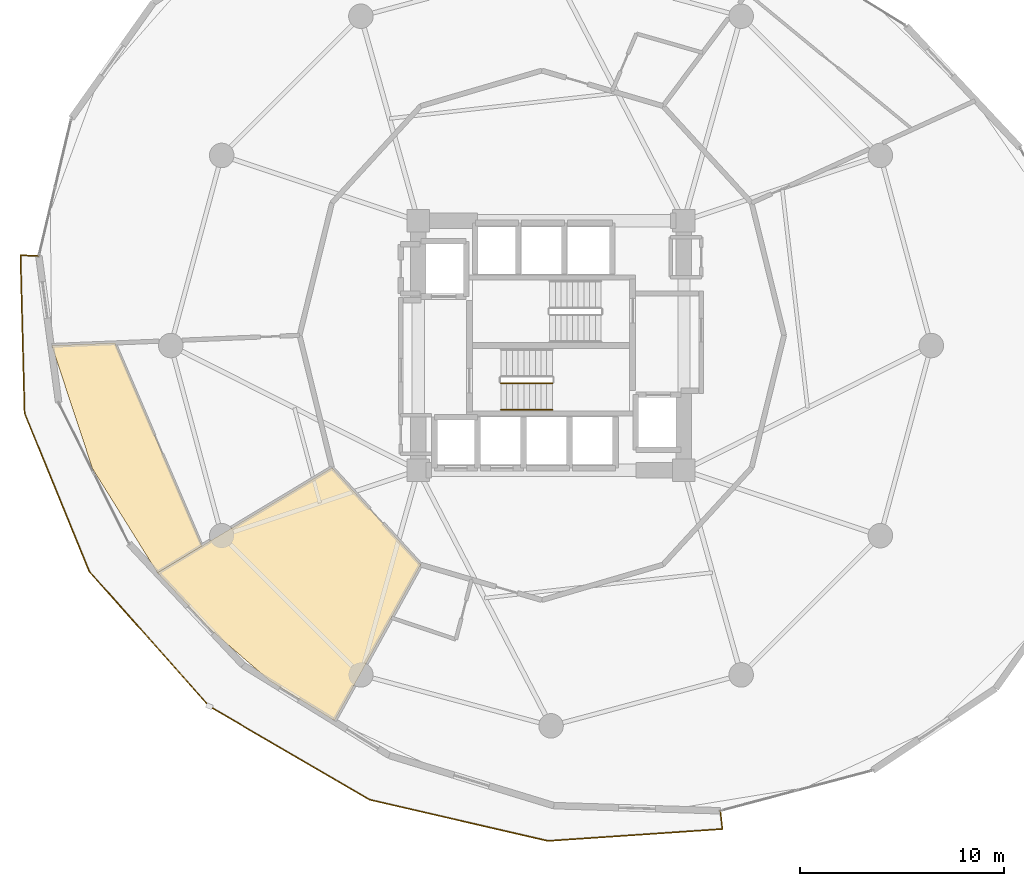
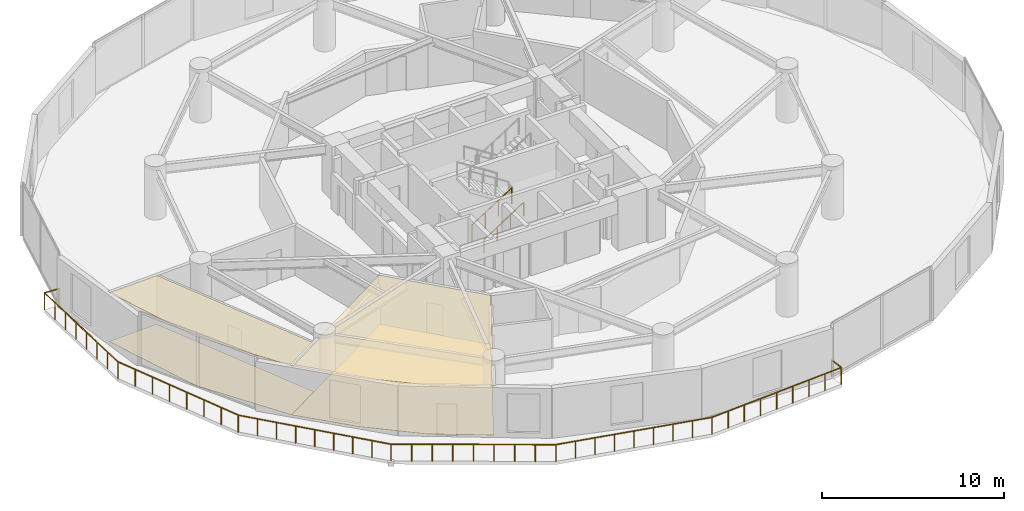
# One storey, part 22 of 24: 4 coverings, 3 railings.
"""IFC4 building model written with IfcOpenShell, lengths in metres."""

import ifcopenshell
import ifcopenshell.guid

model = None  # the IFC model being written
_history = None  # IfcOwnerHistory: only IFC2X3 demands one
_inside = {}  # id of a spatial element -> (the spatial element, [elements in it])
_under = {}  # id of a project, library or spatial element -> (it, [spatial elements below it])
_declared = {}  # id of a project -> (the project, [libraries it declares])
_typed = {}  # id of a type object -> (the type object, [elements of that type])
_made_of = {}  # id of a material, layer set ... -> (it, [elements and type objects made of it])


def new_model(schema):
    """Start an empty IFC model of exactly this schema.

    Asked for "IFC4X3", IfcOpenShell would pick the latest addendum, in which some entities
    have other attributes; the version numbers below select the first issue.
    IFC2X3 requires an IfcOwnerHistory on every rooted entity: one is made here for all.
    """
    global model, _history
    if schema == "IFC4X3":
        model = ifcopenshell.file(schema_version=(4, 3, 0, 0))
    else:
        model = ifcopenshell.file(schema=schema)
    _inside.clear()
    _under.clear()
    _declared.clear()
    _typed.clear()
    _made_of.clear()
    _history = None
    if model.schema == "IFC2X3":
        org = make("IfcOrganization", Name="unknown")
        user = make(
            "IfcPersonAndOrganization",
            ThePerson=make("IfcPerson", FamilyName="unknown"),
            TheOrganization=org,
        )
        app = make(
            "IfcApplication",
            ApplicationDeveloper=org,
            Version="unknown",
            ApplicationFullName="unknown",
            ApplicationIdentifier="unknown",
        )
        _history = make(
            "IfcOwnerHistory",
            OwningUser=user,
            OwningApplication=app,
            ChangeAction="ADDED",
            CreationDate=0,
        )
    return model


def make(cls, **values):
    """One entity of the class cls with the attributes given. An attribute that is None is left unset."""
    return model.create_entity(
        cls, **{name: value for name, value in values.items() if value is not None}
    )


def rooted(cls, **values):
    """An entity with a GlobalId (a new one), such as an element, a storey or a relation."""
    return make(cls, GlobalId=ifcopenshell.guid.new(), OwnerHistory=_history, **values)


def si_unit(unit_type, name, prefix=None):
    """IfcSIUnit, for example si_unit("LENGTHUNIT", "METRE", prefix="MILLI")."""
    return make("IfcSIUnit", UnitType=unit_type, Prefix=prefix, Name=name)


def assignment(units):
    """IfcUnitAssignment: the units of a project."""
    return None if units is None else make("IfcUnitAssignment", Units=units)


def point(xyz):
    """IfcCartesianPoint."""
    return None if xyz is None else make("IfcCartesianPoint", Coordinates=xyz)


def direction(xyz):
    """IfcDirection."""
    return None if xyz is None else make("IfcDirection", DirectionRatios=xyz)


def frame(location, z_axis=None, x_axis=None):
    """IfcAxis2Placement3D, a coordinate frame: its origin and axes. An axis left out is left unset."""
    return make(
        "IfcAxis2Placement3D",
        Location=point(location),
        Axis=direction(z_axis),
        RefDirection=direction(x_axis),
    )


def frame_2d(location, x_axis=None):
    """IfcAxis2Placement2D, a coordinate frame in the plane: its origin and x axis."""
    return make(
        "IfcAxis2Placement2D", Location=point(location), RefDirection=direction(x_axis)
    )


def origin():
    """The frame at (0, 0, 0) with its axes left unset."""
    return frame((0.0, 0.0, 0.0))


def origin_2d():
    """The frame at (0, 0) in the plane with its x axis left unset."""
    return frame_2d((0.0, 0.0))


def place(relative_to, where):
    """IfcLocalPlacement: puts the frame where relative to a parent placement (None: the world)."""
    return make(
        "IfcLocalPlacement", PlacementRelTo=relative_to, RelativePlacement=where
    )


def context(
    kind, dimensions, precision=None, world=None, true_north=None, identifier=None
):
    """IfcGeometricRepresentationContext, for example the 3D "Model" context."""
    return make(
        "IfcGeometricRepresentationContext",
        ContextIdentifier=identifier,
        ContextType=kind,
        CoordinateSpaceDimension=dimensions,
        Precision=precision,
        WorldCoordinateSystem=world,
        TrueNorth=true_north,
    )


def subcontext(parent, identifier, kind, view, scale=None):
    """IfcGeometricRepresentationSubContext, for example "Body" below "Model"."""
    return make(
        "IfcGeometricRepresentationSubContext",
        ContextIdentifier=identifier,
        ContextType=kind,
        ParentContext=parent,
        TargetScale=scale,
        TargetView=view,
    )


def project(units=None, contexts=None):
    """IfcProject with its units and contexts."""
    return rooted(
        "IfcProject",
        Name="project",
        RepresentationContexts=contexts,
        UnitsInContext=assignment(units),
    )


def spatial(cls, under=None, at=None, **own):
    """A site, building, storey or space (cls), placed at a placement, below another one or the project."""
    s = rooted(cls, ObjectPlacement=at, **own)
    if under is not None:
        _under.setdefault(under.id(), (under, []))[1].append(s)
    return s


def polyline(points):
    """IfcPolyline through the points."""
    return make("IfcPolyline", Points=[point(p) for p in points])


def profile(cls, at=None, kind="AREA", **sizes):
    """A parametric profile (cls). Its sizes go by their IFC names, for example OverallWidth=200.0."""
    return make(cls, ProfileType=kind, Position=at, **sizes)


def circle(**sizes):
    """IfcCircleProfileDef."""
    return profile("IfcCircleProfileDef", **sizes)


def outline(outer, holes=None, kind="AREA"):
    """IfcArbitraryClosedProfileDef: a profile drawn as a closed curve; with holes, ...WithVoids."""
    if holes is None:
        return make("IfcArbitraryClosedProfileDef", ProfileType=kind, OuterCurve=outer)
    return make(
        "IfcArbitraryProfileDefWithVoids",
        ProfileType=kind,
        OuterCurve=outer,
        InnerCurves=holes,
    )


def extrude(swept, where, along, depth):
    """IfcExtrudedAreaSolid: the profile swept, set in the frame where, extruded along a direction by depth."""
    return make(
        "IfcExtrudedAreaSolid",
        SweptArea=swept,
        Position=where,
        ExtrudedDirection=direction(along),
        Depth=depth,
    )


def shape(context_of_items, identifier, shape_type, items):
    """IfcShapeRepresentation: the items that make up one representation, for example the "Body"."""
    return make(
        "IfcShapeRepresentation",
        ContextOfItems=context_of_items,
        RepresentationIdentifier=identifier,
        RepresentationType=shape_type,
        Items=items,
    )


def material(Name=None, Category=None):
    """IfcMaterial."""
    return make("IfcMaterial", Name=Name, Category=Category)


def layer(
    of_material, thickness, ventilated=None, Name=None, Category=None, Priority=None
):
    """IfcMaterialLayer: one layer of a wall or slab, of a material (None: an air gap)."""
    return make(
        "IfcMaterialLayer",
        Material=of_material,
        LayerThickness=thickness,
        IsVentilated=ventilated,
        Name=Name,
        Category=Category,
        Priority=Priority,
    )


def layer_set(layers, Name=None):
    """IfcMaterialLayerSet."""
    return make("IfcMaterialLayerSet", MaterialLayers=layers, LayerSetName=Name)


def made_of(thing, what):
    """Note that an element or type object is made of a material, layer set ...; save() writes the relation."""
    if what is not None:
        _made_of.setdefault(what.id(), (what, []))[1].append(thing)
    return thing


def type_object(cls, material=None, **own):
    """A type object (cls), such as IfcWallType, which elements share."""
    return made_of(rooted(cls, **own), material)


def element(
    cls,
    number,
    at=None,
    inside=None,
    cuts=None,
    type_object=None,
    material=None,
    context=None,
    identifier="Body",
    shape_type=None,
    held_by="IfcProductDefinitionShape",
    body=None,
    shapes=None,
    **own,
):
    """One element of the class cls, such as IfcWall. Its Tag is "e" and its number.

    at: its placement. inside: the storey or other place that contains it. cuts: it is an
    opening in that element (IfcRelVoidsElement). A single representation is given by context,
    identifier, shape_type and body (its items); several are given by shapes. held_by: the class
    of the entity that holds the representations. save() writes the other relations.
    """
    e = rooted(cls, Tag="e%d" % number, ObjectPlacement=at, **own)
    if body is not None:
        shapes = [shape(context, identifier, shape_type, body)]
    if shapes is not None:
        e.Representation = make(held_by, Representations=shapes)
    if inside is not None:
        _inside.setdefault(inside.id(), (inside, []))[1].append(e)
    if cuts is not None:
        rooted(
            "IfcRelVoidsElement", RelatingBuildingElement=cuts, RelatedOpeningElement=e
        )
    if type_object is not None:
        _typed.setdefault(type_object.id(), (type_object, []))[1].append(e)
    return made_of(e, material)


def aggregate(whole, parts):
    """IfcRelAggregates: a whole, such as a stair, and the parts it consists of."""
    return rooted("IfcRelAggregates", RelatingObject=whole, RelatedObjects=parts)


def save(model, path):
    """Write the relations noted so far, then the file.

    IfcRelAggregates (storeys below a building ...), IfcRelContainedInSpatialStructure (elements
    in a storey), IfcRelDefinesByType, IfcRelAssociatesMaterial and IfcRelDeclares: one each for
    every whole, place, type object, material and project.
    """
    for whole, parts in _under.values():
        aggregate(whole, parts)
    for where, things in _inside.values():
        rooted(
            "IfcRelContainedInSpatialStructure",
            RelatedElements=things,
            RelatingStructure=where,
        )
    for kind, things in _typed.values():
        rooted("IfcRelDefinesByType", RelatedObjects=things, RelatingType=kind)
    for what, things in _made_of.values():
        rooted("IfcRelAssociatesMaterial", RelatedObjects=things, RelatingMaterial=what)
    for by, libraries in _declared.values():
        rooted("IfcRelDeclares", RelatingContext=by, RelatedDefinitions=libraries)
    model.write(path)


model = new_model("IFC4")

# Units and contexts
model_context = context("Model", 3, precision=1e-05, world=origin(), true_north=direction((0.0, 1.0)))
body_context = subcontext(model_context, "Body", "Model", "MODEL_VIEW")
ifc_project = project(units=[si_unit("LENGTHUNIT", "METRE"), si_unit("AREAUNIT", "SQUARE_METRE"), si_unit("VOLUMEUNIT", "CUBIC_METRE"), si_unit("PLANEANGLEUNIT", "RADIAN"), si_unit("MASSUNIT", "GRAM", prefix="KILO")], contexts=[model_context])

# Site, building, storey
site_placement = place(None, origin())
site = spatial("IfcSite", under=ifc_project, at=site_placement, CompositionType="ELEMENT")
building_placement = place(site_placement, origin())
building = spatial("IfcBuilding", under=site, at=building_placement, Name="Solvirekh Grand Hotel", CompositionType="ELEMENT")
storey_placement = place(building_placement, frame((0.0, 0.0, 86.0)))
storey = spatial("IfcBuildingStorey", under=building, at=storey_placement, Name="L21", CompositionType="ELEMENT", Elevation=86.0)

# Coverings
ifc_material_1 = material(Name="Acoustic Mineral Ceiling Tile")
ifc_layer_1 = layer(ifc_material_1, 0.02490234375)
ifc_layer_set_1 = layer_set([ifc_layer_1], Name="Acoustic Mineral Ceiling Tile")
covering_type_1 = type_object("IfcCoveringType", Name="Cov_Ceiling_Acoustic", PredefinedType="CEILING", material=ifc_layer_set_1)
covering_1_placement = place(storey_placement, frame((0.0, 0.0, 3.2900390625)))
element("IfcCovering", 1, at=covering_1_placement, inside=storey, type_object=covering_type_1, Name="L21 Presidential Suite 2302 Master Bedroom acoustic ceiling", PredefinedType="CEILING", context=body_context, shape_type="SweptSolid", body=[
    extrude(outline(polyline([(-24.41796875, 0.0), (-22.429931640625, -6.010009765625), (-19.2490234375, -11.113037109375), (-17.072021484375, -9.802978515625), (-21.327880859375, 0.1279296875), (-24.41796875, 0.0)])), origin(), (0.0, 0.0, 1.0), 0.01806640625),
])
covering_2_placement = place(storey_placement, frame((0.0, 0.0, 3.2900390625)))
element("IfcCovering", 2, at=covering_2_placement, inside=storey, type_object=covering_type_1, Name="L21 L21 Cigar & Cognac Lounge acoustic ceiling", PredefinedType="CEILING", context=body_context, shape_type="SweptSolid", body=[
    extrude(outline(polyline([(-19.2490234375, -11.113037109375), (-16.60498046875, -13.93310546875), (-13.756103515625, -16.39404296875), (-10.592041015625, -18.345947265625), (-6.375, -10.715087890625), (-10.7119140625, -5.97509765625), (-19.2490234375, -11.113037109375)])), origin(), (0.0, 0.0, 1.0), 0.01806640625),
])
ifc_material_2 = material(Name="Porcelain Stoneware Flooring", Category="masonry")
ifc_layer_2 = layer(ifc_material_2, 0.030029296875)
ifc_layer_set_2 = layer_set([ifc_layer_2], Name="Porcelain Stoneware Flooring")
covering_type_2 = type_object("IfcCoveringType", Name="Cov_Floor_Stone", PredefinedType="FLOORING", material=ifc_layer_set_2)
covering_3_placement = place(storey_placement, origin())
element("IfcCovering", 3, at=covering_3_placement, inside=storey, type_object=covering_type_2, Name="L21 Presidential Suite 2302 Master Bedroom polished granite flooring", PredefinedType="FLOORING", context=body_context, shape_type="SweptSolid", body=[
    extrude(outline(polyline([(-24.41796875, 0.0), (-22.429931640625, -6.010009765625), (-19.2490234375, -11.113037109375), (-17.072021484375, -9.802978515625), (-21.327880859375, 0.1279296875), (-24.41796875, 0.0)])), origin(), (0.0, 0.0, 1.0), 0.02001953125),
])
covering_4_placement = place(storey_placement, origin())
element("IfcCovering", 4, at=covering_4_placement, inside=storey, type_object=covering_type_2, Name="L21 L21 Cigar & Cognac Lounge polished granite flooring", PredefinedType="FLOORING", context=body_context, shape_type="SweptSolid", body=[
    extrude(outline(polyline([(-19.2490234375, -11.113037109375), (-16.60498046875, -13.93310546875), (-13.756103515625, -16.39404296875), (-10.592041015625, -18.345947265625), (-6.375, -10.715087890625), (-10.7119140625, -5.97509765625), (-19.2490234375, -11.113037109375)])), origin(), (0.0, 0.0, 1.0), 0.02001953125),
])

# Railings
ifc_material_3 = material(Name="Anodized Bronze Aluminium 6063-T6", Category="aluminium")
railing_type_1 = type_object("IfcRailingType", Name="Guard_ExtGlass_1150", PredefinedType="BALUSTRADE", material=ifc_material_3)
railing_1_placement = place(storey_placement, frame((-25.050048828125, 4.3798828125, 0.0)))
element("IfcRailing", 5, at=railing_1_placement, inside=storey, type_object=railing_type_1, Name="L21 balc perimeter glass balustrade", PredefinedType="BALUSTRADE", context=body_context, shape_type="SweptSolid", body=[
    extrude(circle(Radius=0.02392578125, at=origin_2d()), frame((0.0, 0.0, 1.1259765625), z_axis=(-0.998960693745, 0.045579955608, 0.0), x_axis=(-0.045579955608, -0.998960693745, 0.0)), (0.0, 0.0, 1.0), 0.89990234375),
    extrude(circle(Radius=0.02392578125, at=origin_2d()), frame((-0.89892578125, 0.041015625, 1.1259765625), z_axis=(0.025725616321, -0.999669041566, 0.0), x_axis=(0.999669041566, 0.025725616321, 0.0)), (0.0, 0.0, 1.0), 7.734375),
    extrude(circle(Radius=0.02392578125, at=origin_2d()), frame((-0.699951171875, -7.69091796875, 1.1259765625), z_axis=(0.378812552901, -0.925473419264, 0.0), x_axis=(0.925473419264, 0.378812552901, 0.0)), (0.0, 0.0, 1.0), 8.357666015625),
    extrude(circle(Radius=0.02392578125, at=origin_2d()), frame((2.466064453125, -15.42578125, 1.1259765625), z_axis=(0.664706782353, -0.747104339095, 0.0), x_axis=(0.747104339095, 0.664706782353, 0.0)), (0.0, 0.0, 1.0), 8.83544921875),
    extrude(circle(Radius=0.02392578125, at=origin_2d()), frame((8.339111328125, -22.02685546875, 1.1259765625), z_axis=(0.863873722062, -0.503708439805, 0.0), x_axis=(0.503708439805, 0.863873722062, 0.0)), (0.0, 0.0, 1.0), 9.056884765625),
    extrude(circle(Radius=0.02392578125, at=origin_2d()), frame((16.1630859375, -26.5888671875, 1.1259765625), z_axis=(0.974286448023, -0.225312931716, 0.0), x_axis=(0.225312931716, 0.974286448023, 0.0)), (0.0, 0.0, 1.0), 8.96533203125),
    extrude(circle(Radius=0.02392578125, at=origin_2d()), frame((24.89794921875, -28.60888671875, 1.1259765625), z_axis=(0.997697409059, 0.067822414853, 0.0), x_axis=(-0.067822414853, 0.997697409059, 0.0)), (0.0, 0.0, 1.0), 8.552978515625),
    extrude(circle(Radius=0.02392578125, at=origin_2d()), frame((33.43115234375, -28.02880859375, 1.1259765625), z_axis=(-0.110193210059, 0.993910185307, 0.0), x_axis=(-0.993910185307, -0.110193210059, 0.0)), (0.0, 0.0, 1.0), 0.8994140625),
    extrude(circle(Radius=0.02099609375, at=origin_2d()), origin(), (0.0, 0.0, 1.0), 1.101806640625),
    extrude(circle(Radius=0.02099609375, at=origin_2d()), frame((-0.89892578125, 0.041015625, 0.0)), (0.0, 0.0, 1.0), 1.101806640625),
    extrude(circle(Radius=0.02099609375, at=origin_2d()), frame((-0.87060546875, -1.0634765625, 0.0)), (0.0, 0.0, 1.0), 1.101806640625),
    extrude(circle(Radius=0.02099609375, at=origin_2d()), frame((-0.842041015625, -2.168212890625, 0.0)), (0.0, 0.0, 1.0), 1.101806640625),
    extrude(circle(Radius=0.02099609375, at=origin_2d()), frame((-0.813720703125, -3.272705078125, 0.0)), (0.0, 0.0, 1.0), 1.101806640625),
    extrude(circle(Radius=0.02099609375, at=origin_2d()), frame((-0.78515625, -4.377197265625, 0.0)), (0.0, 0.0, 1.0), 1.101806640625),
    extrude(circle(Radius=0.02099609375, at=origin_2d()), frame((-0.7568359375, -5.481689453125, 0.0)), (0.0, 0.0, 1.0), 1.101806640625),
    extrude(circle(Radius=0.02099609375, at=origin_2d()), frame((-0.728271484375, -6.58642578125, 0.0)), (0.0, 0.0, 1.0), 1.101806640625),
    extrude(circle(Radius=0.02099609375, at=origin_2d()), frame((-0.699951171875, -7.69091796875, 0.0)), (0.0, 0.0, 1.0), 1.101806640625),
    extrude(circle(Radius=0.02099609375, at=origin_2d()), frame((-0.24755859375, -8.7958984375, 0.0)), (0.0, 0.0, 1.0), 1.101806640625),
    extrude(circle(Radius=0.02099609375, at=origin_2d()), frame((0.20458984375, -9.90087890625, 0.0)), (0.0, 0.0, 1.0), 1.101806640625),
    extrude(circle(Radius=0.02099609375, at=origin_2d()), frame((0.656982421875, -11.005859375, 0.0)), (0.0, 0.0, 1.0), 1.101806640625),
    extrude(circle(Radius=0.02099609375, at=origin_2d()), frame((1.109130859375, -12.11083984375, 0.0)), (0.0, 0.0, 1.0), 1.101806640625),
    extrude(circle(Radius=0.02099609375, at=origin_2d()), frame((1.5615234375, -13.2158203125, 0.0)), (0.0, 0.0, 1.0), 1.101806640625),
    extrude(circle(Radius=0.02099609375, at=origin_2d()), frame((2.013671875, -14.32080078125, 0.0)), (0.0, 0.0, 1.0), 1.101806640625),
    extrude(circle(Radius=0.02099609375, at=origin_2d()), frame((2.466064453125, -15.42578125, 0.0)), (0.0, 0.0, 1.0), 1.101806640625),
    extrude(circle(Radius=0.02099609375, at=origin_2d()), frame((3.2001953125, -16.2509765625, 0.0)), (0.0, 0.0, 1.0), 1.101806640625),
    extrude(circle(Radius=0.02099609375, at=origin_2d()), frame((3.934326171875, -17.076171875, 0.0)), (0.0, 0.0, 1.0), 1.101806640625),
    extrude(circle(Radius=0.02099609375, at=origin_2d()), frame((4.66845703125, -17.901123046875, 0.0)), (0.0, 0.0, 1.0), 1.101806640625),
    extrude(circle(Radius=0.02099609375, at=origin_2d()), frame((5.402587890625, -18.726318359375, 0.0)), (0.0, 0.0, 1.0), 1.101806640625),
    extrude(circle(Radius=0.02099609375, at=origin_2d()), frame((6.13671875, -19.551513671875, 0.0)), (0.0, 0.0, 1.0), 1.101806640625),
    extrude(circle(Radius=0.02099609375, at=origin_2d()), frame((6.870849609375, -20.37646484375, 0.0)), (0.0, 0.0, 1.0), 1.101806640625),
    extrude(circle(Radius=0.02099609375, at=origin_2d()), frame((7.60498046875, -21.20166015625, 0.0)), (0.0, 0.0, 1.0), 1.101806640625),
    extrude(circle(Radius=0.02099609375, at=origin_2d()), frame((8.339111328125, -22.02685546875, 0.0)), (0.0, 0.0, 1.0), 1.101806640625),
    extrude(circle(Radius=0.02099609375, at=origin_2d()), frame((9.317138671875, -22.59716796875, 0.0)), (0.0, 0.0, 1.0), 1.101806640625),
    extrude(circle(Radius=0.02099609375, at=origin_2d()), frame((10.295166015625, -23.16748046875, 0.0)), (0.0, 0.0, 1.0), 1.101806640625),
    extrude(circle(Radius=0.02099609375, at=origin_2d()), frame((11.273193359375, -23.737548828125, 0.0)), (0.0, 0.0, 1.0), 1.101806640625),
    extrude(circle(Radius=0.02099609375, at=origin_2d()), frame((12.2509765625, -24.307861328125, 0.0)), (0.0, 0.0, 1.0), 1.101806640625),
    extrude(circle(Radius=0.02099609375, at=origin_2d()), frame((13.22900390625, -24.878173828125, 0.0)), (0.0, 0.0, 1.0), 1.101806640625),
    extrude(circle(Radius=0.02099609375, at=origin_2d()), frame((14.20703125, -25.4482421875, 0.0)), (0.0, 0.0, 1.0), 1.101806640625),
    extrude(circle(Radius=0.02099609375, at=origin_2d()), frame((15.18505859375, -26.0185546875, 0.0)), (0.0, 0.0, 1.0), 1.101806640625),
    extrude(circle(Radius=0.02099609375, at=origin_2d()), frame((16.1630859375, -26.5888671875, 0.0)), (0.0, 0.0, 1.0), 1.101806640625),
    extrude(circle(Radius=0.02099609375, at=origin_2d()), frame((17.2548828125, -26.84130859375, 0.0)), (0.0, 0.0, 1.0), 1.101806640625),
    extrude(circle(Radius=0.02099609375, at=origin_2d()), frame((18.3466796875, -27.09375, 0.0)), (0.0, 0.0, 1.0), 1.101806640625),
    extrude(circle(Radius=0.02099609375, at=origin_2d()), frame((19.438720703125, -27.346435546875, 0.0)), (0.0, 0.0, 1.0), 1.101806640625),
    extrude(circle(Radius=0.02099609375, at=origin_2d()), frame((20.530517578125, -27.598876953125, 0.0)), (0.0, 0.0, 1.0), 1.101806640625),
    extrude(circle(Radius=0.02099609375, at=origin_2d()), frame((21.622314453125, -27.851318359375, 0.0)), (0.0, 0.0, 1.0), 1.101806640625),
    extrude(circle(Radius=0.02099609375, at=origin_2d()), frame((22.71435546875, -28.10400390625, 0.0)), (0.0, 0.0, 1.0), 1.101806640625),
    extrude(circle(Radius=0.02099609375, at=origin_2d()), frame((23.80615234375, -28.3564453125, 0.0)), (0.0, 0.0, 1.0), 1.101806640625),
    extrude(circle(Radius=0.02099609375, at=origin_2d()), frame((24.89794921875, -28.60888671875, 0.0)), (0.0, 0.0, 1.0), 1.101806640625),
    extrude(circle(Radius=0.02099609375, at=origin_2d()), frame((25.964599609375, -28.536376953125, 0.0)), (0.0, 0.0, 1.0), 1.101806640625),
    extrude(circle(Radius=0.02099609375, at=origin_2d()), frame((27.03125, -28.4638671875, 0.0)), (0.0, 0.0, 1.0), 1.101806640625),
    extrude(circle(Radius=0.02099609375, at=origin_2d()), frame((28.097900390625, -28.391357421875, 0.0)), (0.0, 0.0, 1.0), 1.101806640625),
    extrude(circle(Radius=0.02099609375, at=origin_2d()), frame((29.16455078125, -28.31884765625, 0.0)), (0.0, 0.0, 1.0), 1.101806640625),
    extrude(circle(Radius=0.02099609375, at=origin_2d()), frame((30.231201171875, -28.246337890625, 0.0)), (0.0, 0.0, 1.0), 1.101806640625),
    extrude(circle(Radius=0.02099609375, at=origin_2d()), frame((31.2978515625, -28.173828125, 0.0)), (0.0, 0.0, 1.0), 1.101806640625),
    extrude(circle(Radius=0.02099609375, at=origin_2d()), frame((32.364501953125, -28.101318359375, 0.0)), (0.0, 0.0, 1.0), 1.101806640625),
    extrude(circle(Radius=0.02099609375, at=origin_2d()), frame((33.43115234375, -28.02880859375, 0.0)), (0.0, 0.0, 1.0), 1.101806640625),
    extrude(circle(Radius=0.02099609375, at=origin_2d()), frame((33.33203125, -27.134765625, 0.0)), (0.0, 0.0, 1.0), 1.101806640625),
])
ifc_material_4 = material(Name="Steel S355", Category="steel")
railing_type_2 = type_object("IfcRailingType", Name="Guard_Stair_1100", PredefinedType="GUARDRAIL", material=ifc_material_4)
railing_2_placement = place(storey_placement, frame((-2.449951171875, -1.85009765625, 0.179931640625)))
element("IfcRailing", 6, at=railing_2_placement, inside=storey, type_object=railing_type_2, Name="L21 ST-1 stair guard 1", PredefinedType="GUARDRAIL", context=body_context, shape_type="SweptSolid", body=[
    extrude(circle(Radius=0.02392578125, at=origin_2d()), frame((0.0, 0.0, 1.076171875), z_axis=(0.841162588446, 0.0, 0.540782303519), x_axis=(0.0, 1.0, 0.0)), (0.0, 0.0, 1.0), 2.995849609375),
    extrude(circle(Radius=0.02099609375, at=origin_2d()), origin(), (0.0, 0.0, 1.0), 1.052001953125),
    extrude(circle(Radius=0.02099609375, at=origin_2d()), frame((0.840087890625, 0.0, 0.5400390625)), (0.0, 0.0, 1.0), 1.052001953125),
    extrude(circle(Radius=0.02099609375, at=origin_2d()), frame((1.679931640625, 0.0, 1.080078125)), (0.0, 0.0, 1.0), 1.052001953125),
    extrude(circle(Radius=0.02099609375, at=origin_2d()), frame((2.52001953125, 0.0, 1.6201171875)), (0.0, 0.0, 1.0), 1.052001953125),
])
railing_type_3 = type_object("IfcRailingType", Name="Handrail_Wall_900", PredefinedType="HANDRAIL", material=ifc_material_3)
railing_3_placement = place(storey_placement, frame((-2.449951171875, -3.14990234375, 0.179931640625)))
element("IfcRailing", 7, at=railing_3_placement, inside=storey, type_object=railing_type_3, Name="L21 ST-1 stair handrail 1", PredefinedType="HANDRAIL", context=body_context, shape_type="SweptSolid", body=[
    extrude(circle(Radius=0.02392578125, at=origin_2d()), frame((0.0, 0.0, 0.8759765625), z_axis=(0.841162588446, 0.0, 0.540782303519), x_axis=(0.0, 1.0, 0.0)), (0.0, 0.0, 1.0), 2.995849609375),
    extrude(circle(Radius=0.02099609375, at=origin_2d()), origin(), (0.0, 0.0, 1.0), 0.851806640625),
    extrude(circle(Radius=0.02099609375, at=origin_2d()), frame((0.840087890625, 0.0, 0.5400390625)), (0.0, 0.0, 1.0), 0.851806640625),
    extrude(circle(Radius=0.02099609375, at=origin_2d()), frame((1.679931640625, 0.0, 1.080078125)), (0.0, 0.0, 1.0), 0.851806640625),
    extrude(circle(Radius=0.02099609375, at=origin_2d()), frame((2.52001953125, 0.0, 1.6201171875)), (0.0, 0.0, 1.0), 0.851806640625),
])

save(model, "model.ifc")
